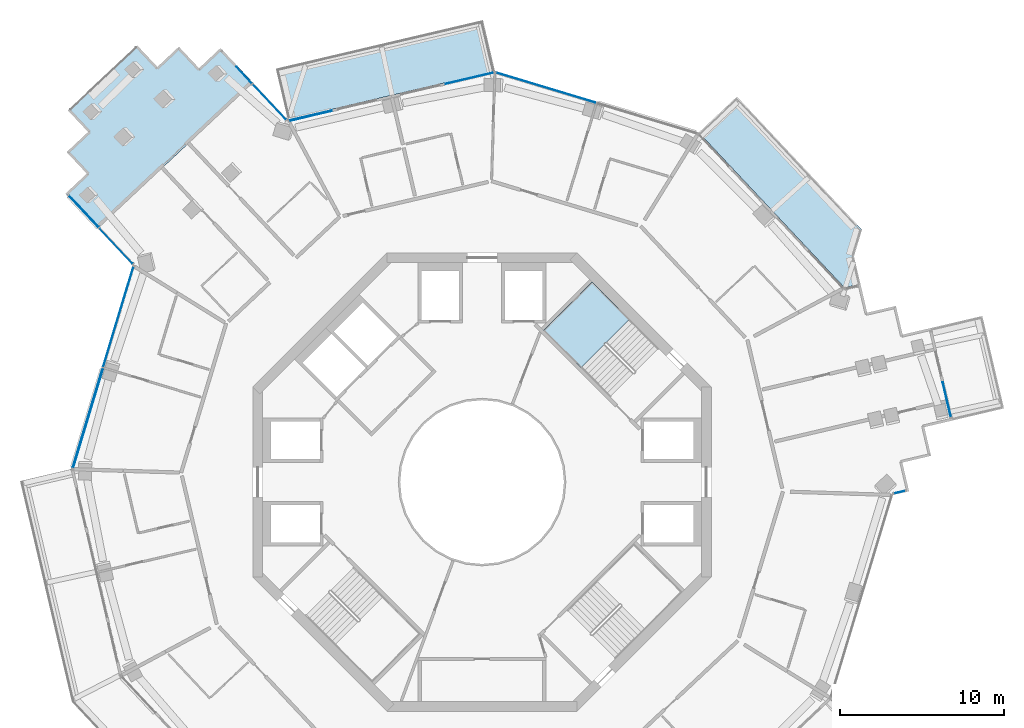
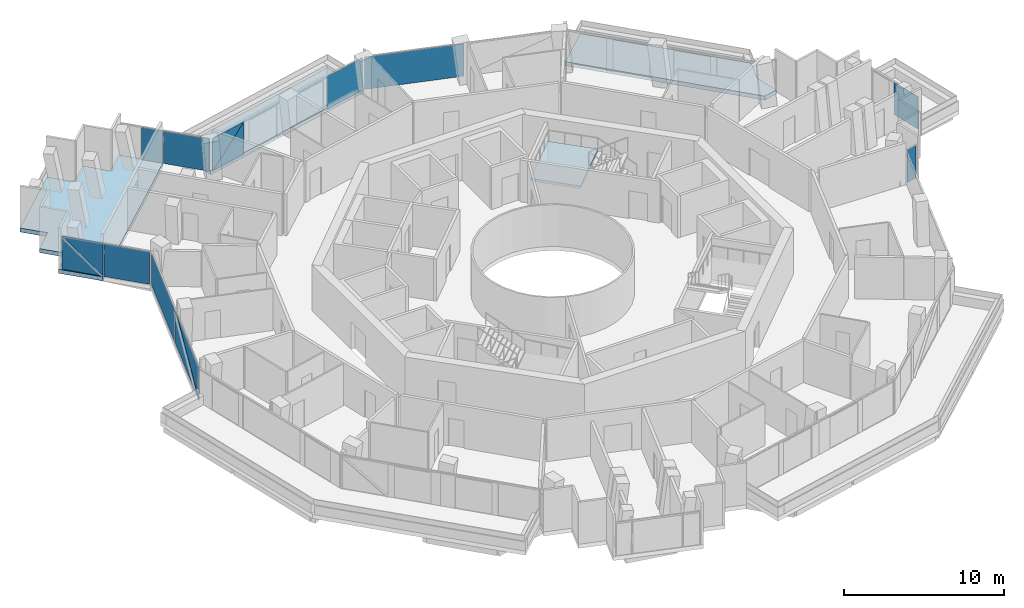
# One storey, part 14 of 24: 14 plates, 4 slabs, 8 elements without a shape of their own.
"""IFC4 building model written with IfcOpenShell, lengths in metres."""

from ifc_helpers import new_model, si_unit, direction, frame, origin, origin_2d, place, context, subcontext, project, spatial, polyline, rectangle, outline, extrude, material, layer, layer_set, type_object, element, aggregate, save


model = new_model("IFC4")

# Units and contexts
model_context = context("Model", 3, precision=1e-05, world=origin(), true_north=direction((0.0, 1.0)))
body_context = subcontext(model_context, "Body", "Model", "MODEL_VIEW")
ifc_project = project(units=[si_unit("LENGTHUNIT", "METRE"), si_unit("AREAUNIT", "SQUARE_METRE"), si_unit("VOLUMEUNIT", "CUBIC_METRE"), si_unit("PLANEANGLEUNIT", "RADIAN"), si_unit("MASSUNIT", "GRAM", prefix="KILO")], contexts=[model_context])

# Site, building, storey
site_placement = place(None, origin())
site = spatial("IfcSite", under=ifc_project, at=site_placement, CompositionType="ELEMENT")
building_placement = place(site_placement, origin())
building = spatial("IfcBuilding", under=site, at=building_placement, Name="Verdalira Terraces Hotel", CompositionType="ELEMENT")
storey_placement = place(building_placement, frame((0.0, 0.0, 209.0)))
storey = spatial("IfcBuildingStorey", under=building, at=storey_placement, Name="L51", CompositionType="ELEMENT", Elevation=209.0)

# Slabs
ifc_material_1 = material(Name="Precast concrete C40/50", Category="concrete")
ifc_layer_1 = layer(ifc_material_1, 0.31005859375)
ifc_layer_set_1 = layer_set([ifc_layer_1], Name="Balcony deck 310")
slab_type_1 = type_object("IfcSlabType", Name="Balcony deck 310", PredefinedType="FLOOR", material=ifc_layer_set_1)
slab_1_placement = place(storey_placement, frame((0.0, 0.0, -0.310059)))
element("IfcSlab", 1, at=slab_1_placement, inside=storey, type_object=slab_type_1, Name="Balcony deck", PredefinedType="FLOOR", context=body_context, shape_type="SweptSolid", body=[
    extrude(outline(polyline([(23.201172, 15.405029), (15.56665, 23.534912), (13.233887, 21.344238), (22.133057, 11.867676), (23.106689, 12.095947), (22.711182, 13.782227), (23.201172, 15.405029)])), origin(), (0.0, 0.0, 1.0), 0.310059),
])
slab_2_placement = place(storey_placement, frame((0.0, 0.0, -0.310059)))
element("IfcSlab", 2, at=slab_2_placement, inside=storey, type_object=slab_type_1, Name="Balcony deck", PredefinedType="FLOOR", context=body_context, shape_type="SweptSolid", body=[
    extrude(outline(polyline([(-12.598389, 25.248535), (-11.867676, 22.133057), (0.788818, 25.101562), (0.058105, 28.217041), (-12.598389, 25.248535)])), origin(), (0.0, 0.0, 1.0), 0.310059),
])

# Curtain wall, plates
ifc_material_2 = material(Name="Clear glass", Category="glass")
ifc_layer_2 = layer(ifc_material_2, 0.14990234375)
ifc_layer_set_2 = layer_set([ifc_layer_2], Name="CW1 curtain wall")
curtain_wall_type_1 = type_object("IfcCurtainWallType", Name="CW1 curtain wall", PredefinedType="NOTDEFINED", material=ifc_layer_set_2)
curtain_wall_1_placement = place(storey_placement, origin())
curtain_wall_1 = element("IfcCurtainWall", 3, at=curtain_wall_1_placement, inside=storey, type_object=curtain_wall_type_1, Name="CW1 curtain wall L51 edge 11", PredefinedType="NOTDEFINED")
ifc_material_3 = material(Name="Clear glass", Category="glass")
ifc_layer_3 = layer(ifc_material_3, 0.028076171875)
ifc_layer_set_3 = layer_set([ifc_layer_3], Name="CW1 glass unit 28")
plate_type_1 = type_object("IfcPlateType", Name="CW1 glass unit 28", PredefinedType="CURTAIN_PANEL", material=ifc_layer_set_3)
plate_1_placement = place(storey_placement, frame((-22.216064, 10.08667, 0.0), z_axis=(0.0, 0.0, 1.0), x_axis=(-0.289031797, -0.957319498, 0.0)))
plate_1 = element("IfcPlate", 4, at=plate_1_placement, type_object=plate_type_1, Name="CW1 glass unit", PredefinedType="CURTAIN_PANEL", context=body_context, shape_type="SweptSolid", body=[
    extrude(rectangle(XDim=6.409912, YDim=0.028076, at=origin_2d()), origin(), (0.0, 0.0, 1.0), 2.475098),
])
plate_2_placement = place(storey_placement, frame((-24.066895, 3.907959, 1.237549), z_axis=(-0.957319498, 0.289031797, 0.0), x_axis=(-0.289031797, -0.957319498, 0.0)))
plate_2 = element("IfcPlate", 5, at=plate_2_placement, type_object=plate_type_1, Name="CW1 glass unit", PredefinedType="CURTAIN_PANEL", context=body_context, shape_type="SweptSolid", body=[
    extrude(outline(polyline([(-3.185059, -1.237549), (3.185059, -1.237549), (-3.185059, 1.237549), (-3.185059, -1.237549)])), origin(), (0.0, 0.0, 1.0), 0.028076),
])
plate_3_placement = place(storey_placement, frame((-24.039062, 3.899658, 1.237549), z_axis=(-0.957319498, 0.289031797, 0.0), x_axis=(-0.289031797, -0.957319498, 0.0)))
plate_3 = element("IfcPlate", 6, at=plate_3_placement, type_object=plate_type_1, Name="CW1 glass unit", PredefinedType="CURTAIN_PANEL", context=body_context, shape_type="SweptSolid", body=[
    extrude(outline(polyline([(3.185059, -1.237549), (3.185059, 1.237549), (-3.185059, 1.237549), (3.185059, -1.237549)])), origin(), (0.0, 0.0, 1.0), 0.028076),
])
aggregate(curtain_wall_1, [plate_1, plate_2, plate_3])

# Curtain wall, plate
curtain_wall_2_placement = place(storey_placement, origin())
curtain_wall_2 = element("IfcCurtainWall", 7, at=curtain_wall_2_placement, inside=storey, type_object=curtain_wall_type_1, Name="CW1 curtain wall L51 edge 40", PredefinedType="NOTDEFINED")
plate_4_placement = place(storey_placement, frame((3.912109, 24.080322, 0.0), z_axis=(0.0, 0.0, 1.0), x_axis=(-0.957319498, 0.289031797, 0.0)))
plate_4 = element("IfcPlate", 8, at=plate_4_placement, type_object=plate_type_1, Name="CW1 glass unit", PredefinedType="CURTAIN_PANEL", context=body_context, shape_type="SweptSolid", body=[
    extrude(rectangle(XDim=6.369873, YDim=0.028076, at=origin_2d()), origin(), (0.0, 0.0, 1.0), 2.475098),
])
aggregate(curtain_wall_2, [plate_4])

# Curtain wall, plates
curtain_wall_3_placement = place(storey_placement, origin())
curtain_wall_3 = element("IfcCurtainWall", 9, at=curtain_wall_3_placement, inside=storey, type_object=curtain_wall_type_1, Name="CW1 curtain wall L51 edge 41", PredefinedType="NOTDEFINED")
plate_5_placement = place(storey_placement, frame((-0.751953, 24.66333, 0.0), z_axis=(0.0, 0.0, 1.0), x_axis=(-0.973578903, -0.22835087, 0.0)))
plate_5 = element("IfcPlate", 10, at=plate_5_placement, type_object=plate_type_1, Name="CW1 glass unit", PredefinedType="CURTAIN_PANEL", context=body_context, shape_type="SweptSolid", body=[
    extrude(rectangle(XDim=2.999756, YDim=0.028076, at=origin_2d()), origin(), (0.0, 0.0, 1.0), 2.475098),
])
plate_6_placement = place(storey_placement, frame((-10.484863, 22.365967, 1.237549), z_axis=(-0.22835087, 0.973578903, 0.0), x_axis=(-0.973578903, -0.22835087, 0.0)))
plate_6 = element("IfcPlate", 11, at=plate_6_placement, type_object=plate_type_1, Name="CW1 glass unit", PredefinedType="CURTAIN_PANEL", context=body_context, shape_type="SweptSolid", body=[
    extrude(outline(polyline([(-1.339355, -1.237549), (1.339355, -1.237549), (-1.339355, 1.237549), (-1.339355, -1.237549)])), origin(), (0.0, 0.0, 1.0), 0.028076),
])
plate_7_placement = place(storey_placement, frame((-10.478271, 22.337646, 1.237549), z_axis=(-0.22835087, 0.973578903, 0.0), x_axis=(-0.973578903, -0.22835087, 0.0)))
plate_7 = element("IfcPlate", 12, at=plate_7_placement, type_object=plate_type_1, Name="CW1 glass unit", PredefinedType="CURTAIN_PANEL", context=body_context, shape_type="SweptSolid", body=[
    extrude(outline(polyline([(1.339355, -1.237549), (1.339355, 1.237549), (-1.339355, 1.237549), (1.339355, -1.237549)])), origin(), (0.0, 0.0, 1.0), 0.028076),
])
aggregate(curtain_wall_3, [plate_5, plate_6, plate_7])

ifc_material_4 = material(Name="Clear glass", Category="glass")
ifc_layer_4 = layer(ifc_material_4, 0.14990234375)
ifc_layer_set_4 = layer_set([ifc_layer_4], Name="CW2 curtain wall")
curtain_wall_type_2 = type_object("IfcCurtainWallType", Name="CW2 curtain wall", PredefinedType="NOTDEFINED", material=ifc_layer_set_4)
curtain_wall_4_placement = place(storey_placement, origin())
curtain_wall_4 = element("IfcCurtainWall", 13, at=curtain_wall_4_placement, inside=storey, type_object=curtain_wall_type_2, Name="CW2 curtain wall L51 edge 0", PredefinedType="NOTDEFINED")
ifc_material_5 = material(Name="Clear glass", Category="glass")
ifc_layer_5 = layer(ifc_material_5, 0.031982421875)
ifc_layer_set_5 = layer_set([ifc_layer_5], Name="CW2 glass unit 32")
plate_type_2 = type_object("IfcPlateType", Name="CW2 glass unit 32", PredefinedType="CURTAIN_PANEL", material=ifc_layer_set_5)
plate_8_placement = place(storey_placement, frame((-12.986816, 23.215332, 0.0), z_axis=(0.0, 0.0, 1.0), x_axis=(-0.684547106, 0.728968627, 0.0)))
plate_8 = element("IfcPlate", 14, at=plate_8_placement, type_object=plate_type_2, Name="CW2 glass unit", PredefinedType="CURTAIN_PANEL", context=body_context, shape_type="SweptSolid", body=[
    extrude(rectangle(XDim=2.970215, YDim=0.031982, at=origin_2d()), origin(), (0.0, 0.0, 1.0), 2.475098),
])
plate_9_placement = place(storey_placement, frame((-14.525635, 24.854004, 0.0), z_axis=(0.0, 0.0, 1.0), x_axis=(-0.684547106, 0.728968627, 0.0)))
plate_9 = element("IfcPlate", 15, at=plate_9_placement, type_object=plate_type_2, Name="CW2 glass unit", PredefinedType="CURTAIN_PANEL", context=body_context, shape_type="SweptSolid", body=[
    extrude(rectangle(XDim=1.38501, YDim=0.031982, at=origin_2d()), origin(), (0.0, 0.0, 1.0), 2.475098),
])
aggregate(curtain_wall_4, [plate_8, plate_9])

curtain_wall_5_placement = place(storey_placement, origin())
curtain_wall_5 = element("IfcCurtainWall", 16, at=curtain_wall_5_placement, inside=storey, type_object=curtain_wall_type_2, Name="CW2 curtain wall L51 edge 10", PredefinedType="NOTDEFINED")
plate_10_placement = place(storey_placement, frame((-24.319092, 16.534912, 1.237549), z_axis=(-0.728968627, -0.684547106, 0.0), x_axis=(0.684547106, -0.728968627, 0.0)))
plate_10 = element("IfcPlate", 17, at=plate_10_placement, type_object=plate_type_2, Name="CW2 glass unit", PredefinedType="CURTAIN_PANEL", context=body_context, shape_type="SweptSolid", body=[
    extrude(outline(polyline([(-1.33252, -1.237549), (1.33252, -1.237549), (-1.33252, 1.237549), (-1.33252, -1.237549)])), origin(), (0.0, 0.0, 1.0), 0.031982),
])
plate_11_placement = place(storey_placement, frame((-24.295166, 16.557373, 1.237549), z_axis=(-0.728968627, -0.684547106, 0.0), x_axis=(0.684547106, -0.728968627, 0.0)))
plate_11 = element("IfcPlate", 18, at=plate_11_placement, type_object=plate_type_2, Name="CW2 glass unit", PredefinedType="CURTAIN_PANEL", context=body_context, shape_type="SweptSolid", body=[
    extrude(outline(polyline([(1.33252, -1.237549), (1.33252, 1.237549), (-1.33252, 1.237549), (1.33252, -1.237549)])), origin(), (0.0, 0.0, 1.0), 0.031982),
])
plate_12_placement = place(storey_placement, frame((-22.354248, 14.418945, 0.0), z_axis=(0.0, 0.0, 1.0), x_axis=(0.684547106, -0.728968627, 0.0)))
plate_12 = element("IfcPlate", 19, at=plate_12_placement, type_object=plate_type_2, Name="CW2 glass unit", PredefinedType="CURTAIN_PANEL", context=body_context, shape_type="SweptSolid", body=[
    extrude(rectangle(XDim=2.970215, YDim=0.031982, at=origin_2d()), origin(), (0.0, 0.0, 1.0), 2.475098),
])
aggregate(curtain_wall_5, [plate_10, plate_11, plate_12])

# Curtain wall, plate
curtain_wall_6_placement = place(storey_placement, origin())
curtain_wall_6 = element("IfcCurtainWall", 20, at=curtain_wall_6_placement, inside=storey, type_object=curtain_wall_type_2, Name="CW2 curtain wall L51 edge 28", PredefinedType="NOTDEFINED")
plate_13_placement = place(storey_placement, frame((25.498291, -0.618896, 0.0), z_axis=(0.0, 0.0, 1.0), x_axis=(0.973578903, 0.22835087, 0.0)))
plate_13 = element("IfcPlate", 21, at=plate_13_placement, type_object=plate_type_2, Name="CW2 glass unit", PredefinedType="CURTAIN_PANEL", context=body_context, shape_type="SweptSolid", body=[
    extrude(rectangle(XDim=0.709961, YDim=0.031982, at=origin_2d()), origin(), (0.0, 0.0, 1.0), 2.475098),
])
aggregate(curtain_wall_6, [plate_13])

ifc_material_6 = material(Name="Clear glass", Category="glass")
ifc_layer_6 = layer(ifc_material_6, 0.14990234375)
ifc_layer_set_6 = layer_set([ifc_layer_6], Name="CW3 curtain wall")
curtain_wall_type_3 = type_object("IfcCurtainWallType", Name="CW3 curtain wall", PredefinedType="NOTDEFINED", material=ifc_layer_set_6)
curtain_wall_7_placement = place(storey_placement, origin())
curtain_wall_7 = element("IfcCurtainWall", 22, at=curtain_wall_7_placement, inside=storey, type_object=curtain_wall_type_3, Name="CW3 curtain wall L51 edge 33", PredefinedType="NOTDEFINED")
ifc_material_7 = material(Name="Clear glass", Category="glass")
ifc_layer_7 = layer(ifc_material_7, 0.035888671875)
ifc_layer_set_7 = layer_set([ifc_layer_7], Name="CW3 glass unit 36")
plate_type_3 = type_object("IfcPlateType", Name="CW3 glass unit 36", PredefinedType="CURTAIN_PANEL", material=ifc_layer_set_7)
plate_14_placement = place(storey_placement, frame((28.383545, 5.034424, 0.0), z_axis=(0.0, 0.0, 1.0), x_axis=(-0.22835087, 0.973578903, 0.0)))
plate_14 = element("IfcPlate", 23, at=plate_14_placement, type_object=plate_type_3, Name="CW3 glass unit", PredefinedType="CURTAIN_PANEL", context=body_context, shape_type="SweptSolid", body=[
    extrude(rectangle(XDim=2.179932, YDim=0.035889, at=origin_2d()), origin(), (0.0, 0.0, 1.0), 2.475098),
])
aggregate(curtain_wall_7, [plate_14])

# Stair, slab
ifc_material_8 = material(Name="Concrete C40", Category="concrete")
stair_type = type_object("IfcStairType", Name="Core stair 20 risers 2050 mm wide", PredefinedType="HALF_TURN_STAIR", material=ifc_material_8)
stair_placement = place(storey_placement, origin())
stair = element("IfcStair", 24, at=stair_placement, inside=storey, type_object=stair_type, Name="L51 Exit stair ST1", PredefinedType="HALF_TURN_STAIR")
ifc_material_9 = material(Name="Concrete C40", Category="concrete")
ifc_layer_8 = layer(ifc_material_9, 0.199951171875)
ifc_layer_set_8 = layer_set([ifc_layer_8], Name="Core stair landing 200 mm")
slab_type_2 = type_object("IfcSlabType", Name="Core stair landing 200 mm", PredefinedType="LANDING", material=ifc_layer_set_8)
slab_3_placement = place(storey_placement, frame((0.0, 0.0, 1.550049)))
slab_3 = element("IfcSlab", 25, at=slab_3_placement, type_object=slab_type_2, Name="ST1 landing 1", PredefinedType="LANDING", context=body_context, shape_type="SweptSolid", body=[
    extrude(outline(polyline([(9.001709, 9.94873), (6.717529, 12.23291), (3.747559, 9.263184), (6.031982, 6.97876), (9.001709, 9.94873)])), origin(), (0.0, 0.0, 1.0), 0.199951),
])
aggregate(stair, [slab_3])

# Slab
ifc_material_10 = material(Name="Concrete C40", Category="concrete")
ifc_layer_9 = layer(ifc_material_10, 0.31005859375)
ifc_layer_set_9 = layer_set([ifc_layer_9], Name="Loggia floor deck 310 C40")
slab_type_3 = type_object("IfcSlabType", Name="Loggia floor deck 310 C40", PredefinedType="FLOOR", material=ifc_layer_set_9)
slab_4_placement = place(storey_placement, frame((0.0, 0.0, -0.310059)))
element("IfcSlab", 26, at=slab_4_placement, inside=storey, type_object=slab_type_3, Name="Loggia deck L51", PredefinedType="FLOOR", context=body_context, shape_type="SweptSolid", body=[
    extrude(outline(polyline([(-25.448242, 17.604492), (-23.463135, 15.490479), (-13.986572, 24.389404), (-15.97168, 26.503418), (-17.283936, 25.27124), (-18.516113, 26.583496), (-19.828125, 25.351318), (-21.060303, 26.66333), (-25.28833, 22.693115), (-24.056152, 21.380859), (-25.368408, 20.148682), (-24.13623, 18.83667), (-25.448242, 17.604492)])), origin(), (0.0, 0.0, 1.0), 0.310059),
])

save(model, "model.ifc")
